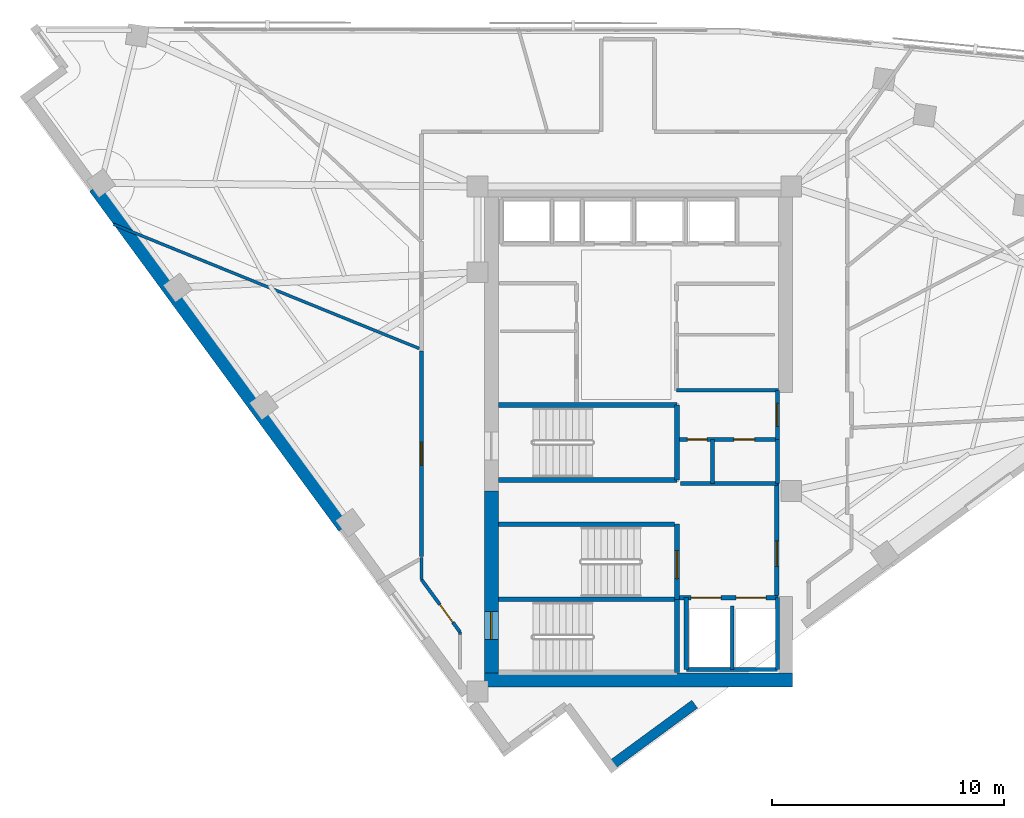
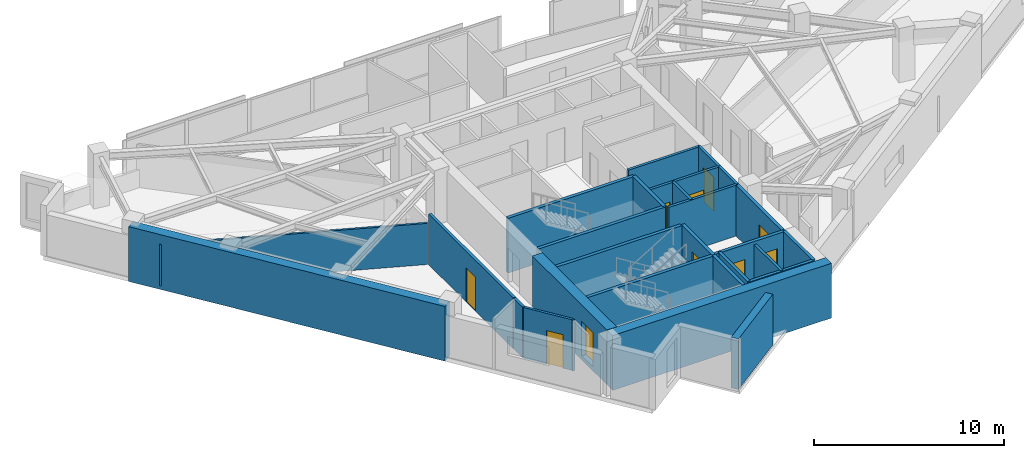
# One storey, part 8 of 13: 28 walls, 10 doors, 10 openings.
"""IFC4 building model written with IfcOpenShell, lengths in metres."""

from ifc_helpers import new_model, si_unit, direction, frame, frame_2d, origin, place, context, subcontext, project, spatial, rectangle, extrude, material, layer, layer_set, type_object, element, fill, save


model = new_model("IFC4")

# Units and contexts
model_context = context("Model", 3, precision=1e-05, world=origin(), true_north=direction((0.0, 1.0)))
body_context = subcontext(model_context, "Body", "Model", "MODEL_VIEW")
ifc_project = project(units=[si_unit("LENGTHUNIT", "METRE"), si_unit("AREAUNIT", "SQUARE_METRE"), si_unit("VOLUMEUNIT", "CUBIC_METRE"), si_unit("PLANEANGLEUNIT", "RADIAN"), si_unit("MASSUNIT", "GRAM", prefix="KILO")], contexts=[model_context])

# Site, building, storey
site_placement = place(None, origin())
site = spatial("IfcSite", under=ifc_project, at=site_placement, CompositionType="ELEMENT")
building_placement = place(site_placement, origin())
building = spatial("IfcBuilding", under=site, at=building_placement, Name="Narakoshi Arena Tower", CompositionType="ELEMENT")
storey_placement = place(building_placement, frame((0.0, 0.0, 246.659912109375)))
storey = spatial("IfcBuildingStorey", under=building, at=storey_placement, Name="L67", CompositionType="ELEMENT", Elevation=246.659912109375)

# Wall, opening, door
ifc_material_1 = material(Name="Concrete C50/60", Category="concrete")
ifc_layer_1 = layer(ifc_material_1, 0.60009765625)
ifc_layer_set_1 = layer_set([ifc_layer_1], Name="Concrete C50/60")
wall_type_1 = type_object("IfcWallType", Name="WL-CORE-600", PredefinedType="SHEAR", material=ifc_layer_set_1)
wall_1_placement = place(storey_placement, frame((72.60009765625, 35.5, -0.260009765625), z_axis=(0.0, 0.0, 1.0), x_axis=(0.0, 1.0, 0.0)))
wall_1 = element("IfcWall", 1, at=wall_1_placement, inside=storey, type_object=wall_type_1, Name="L67 Central Core Shear Wall CW-APX-W", PredefinedType="SHEAR", context=body_context, shape_type="SweptSolid", body=[
    extrude(rectangle(XDim=7.85009765625, YDim=0.60009765625, at=frame_2d((3.925048828125, 0.0))), origin(), (0.0, 0.0, 1.0), 3.52001953125),
])
opening_1_placement = place(wall_1_placement, frame((1.449951171875, 0.0, 0.260009765625)))
opening_1 = element("IfcOpeningElement", 2, at=opening_1_placement, cuts=wall_1, Name="Opening D-03", PredefinedType="OPENING", context=body_context, shape_type="SweptSolid", body=[
    extrude(rectangle(XDim=1.199951171875, YDim=2.199951171875, at=frame_2d((0.60009765625, 1.10009765625))), frame((0.0, 0.31005859375, 0.0), z_axis=(0.0, -1.0, 0.0), x_axis=(1.0, 0.0, 0.0)), (0.0, 0.0, 1.0), 0.6201171875),
])
ifc_material_2 = material(Name="Painted galvanized steel", Category="steel")
door_type_1 = type_object("IfcDoorType", Name="DR-STR-1200", OperationType="NOTDEFINED", PredefinedType="USERDEFINED", material=ifc_material_2)
door_1_placement = place(opening_1_placement, frame((1.199951171875, 0.0, 0.0), z_axis=(0.0, 0.0, 1.0), x_axis=(-1.0, 0.0, 0.0)))
door_1 = element("IfcDoor", 3, at=door_1_placement, inside=storey, type_object=door_type_1, Name="DR-L67-001", ObjectType="EXITDOOR", OperationType="SINGLE_SWING_LEFT", OverallHeight=2.199951171875, OverallWidth=1.199951171875, PredefinedType="USERDEFINED", context=body_context, shape_type="SweptSolid", body=[
    extrude(rectangle(XDim=1.199951171875, YDim=2.199951171875, at=frame_2d((0.60009765625, 1.10009765625))), frame((0.0, 0.02490234375, 0.0), z_axis=(0.0, -1.0, 0.0), x_axis=(1.0, 0.0, 0.0)), (0.0, 0.0, 1.0), 0.050048828125),
])
fill(opening_1, door_1)

# Wall
wall_2_placement = place(storey_placement, frame((72.300048828125, 35.199951171875, -0.260009765625), z_axis=(0.0, 0.0, 1.0), x_axis=(1.0, 0.0, 0.0)))
element("IfcWall", 4, at=wall_2_placement, inside=storey, type_object=wall_type_1, Name="L67 Central Core Shear Wall CW-APX-S", PredefinedType="SHEAR", context=body_context, shape_type="SweptSolid", body=[
    extrude(rectangle(XDim=13.300048828125, YDim=0.60009765625, at=frame_2d((6.64990234375, 0.0))), origin(), (0.0, 0.0, 1.0), 3.52001953125),
])

# Wall, opening, door
ifc_material_3 = material(Name="Gypsum plasterboard fire-rated partition")
ifc_layer_2 = layer(ifc_material_3, 0.1650390625)
ifc_layer_set_2 = layer_set([ifc_layer_2], Name="Gypsum plasterboard fire-rated partition")
wall_type_2 = type_object("IfcWallType", Name="WL-CORR-165", PredefinedType="PARTITIONING", material=ifc_layer_set_2)
wall_3_placement = place(storey_placement, frame((84.949951171875, 45.580078125, 0.0), z_axis=(0.0, 0.0, 1.0), x_axis=(0.0, 1.0, 0.0)))
wall_3 = element("IfcWall", 5, at=wall_3_placement, inside=storey, type_object=wall_type_2, Name="L67 Core Wall CPAS-E", PredefinedType="PARTITIONING", context=body_context, shape_type="SweptSolid", body=[
    extrude(rectangle(XDim=2.119873046875, YDim=0.1650390625, at=frame_2d((1.06005859375, 0.0))), origin(), (0.0, 0.0, 1.0), 3.260009765625),
])
opening_2_placement = place(wall_3_placement, frame((0.56005859375, 0.0, 0.0)))
opening_2 = element("IfcOpeningElement", 6, at=opening_2_placement, cuts=wall_3, Name="Opening D-06", PredefinedType="OPENING", context=body_context, shape_type="SweptSolid", body=[
    extrude(rectangle(XDim=1.0, YDim=2.199951171875, at=frame_2d((0.5, 1.10009765625))), frame((0.0, 0.092529296875, 0.0), z_axis=(0.0, -1.0, 0.0), x_axis=(1.0, 0.0, 0.0)), (0.0, 0.0, 1.0), 0.18505859375),
])
ifc_material_4 = material(Name="Stained oak solid-core timber", Category="wood")
door_type_2 = type_object("IfcDoorType", Name="DR-OFF-1000", OperationType="NOTDEFINED", PredefinedType="DOOR", material=ifc_material_4)
door_2_placement = place(opening_2_placement, frame((1.0, 0.0, 0.0), z_axis=(0.0, 0.0, 1.0), x_axis=(-1.0, 0.0, 0.0)))
door_2 = element("IfcDoor", 7, at=door_2_placement, inside=storey, type_object=door_type_2, Name="DR-L67-007", OperationType="SINGLE_SWING_LEFT", OverallHeight=2.199951171875, OverallWidth=1.0, PredefinedType="DOOR", context=body_context, shape_type="SweptSolid", body=[
    extrude(rectangle(XDim=1.0, YDim=2.199951171875, at=frame_2d((0.5, 1.10009765625))), frame((0.0, 0.02490234375, 0.0), z_axis=(0.0, -1.0, 0.0), x_axis=(1.0, 0.0, 0.0)), (0.0, 0.0, 1.0), 0.050048828125),
])
fill(opening_2, door_2)

wall_4_placement = place(storey_placement, frame((69.583251953125, 49.4033203125, 0.0), z_axis=(0.0, 0.0, 1.0), x_axis=(0.0, -1.0, 0.0)))
wall_4 = element("IfcWall", 8, at=wall_4_placement, inside=storey, type_object=wall_type_2, Name="L67 Corridor Partition 09-1", PredefinedType="PARTITIONING", context=body_context, shape_type="SweptSolid", body=[
    extrude(rectangle(XDim=8.885009765625, YDim=0.1650390625, at=frame_2d((4.4423828125, 0.0))), origin(), (0.0, 0.0, 1.0), 3.260009765625),
])
opening_3_placement = place(wall_4_placement, frame((3.9423828125, 0.0, 0.0)))
opening_3 = element("IfcOpeningElement", 9, at=opening_3_placement, cuts=wall_4, Name="Opening D-06", PredefinedType="OPENING", context=body_context, shape_type="SweptSolid", body=[
    extrude(rectangle(XDim=1.0, YDim=2.199951171875, at=frame_2d((0.5, 1.10009765625))), frame((0.0, 0.092529296875, 0.0), z_axis=(0.0, -1.0, 0.0), x_axis=(1.0, 0.0, 0.0)), (0.0, 0.0, 1.0), 0.18505859375),
])
door_3_placement = place(opening_3_placement, frame((1.0, 0.0, 0.0), z_axis=(0.0, 0.0, 1.0), x_axis=(-1.0, 0.0, 0.0)))
door_3 = element("IfcDoor", 10, at=door_3_placement, inside=storey, type_object=door_type_2, Name="DR-L67-025", OperationType="SINGLE_SWING_LEFT", OverallHeight=2.199951171875, OverallWidth=1.0, PredefinedType="DOOR", context=body_context, shape_type="SweptSolid", body=[
    extrude(rectangle(XDim=1.0, YDim=2.199951171875, at=frame_2d((0.5, 1.10009765625))), frame((0.0, 0.02490234375, 0.0), z_axis=(0.0, -1.0, 0.0), x_axis=(1.0, 0.0, 0.0)), (0.0, 0.0, 1.0), 0.050048828125),
])
fill(opening_3, door_3)

# Walls
ifc_layer_3 = layer(ifc_material_1, 0.550048828125)
ifc_layer_set_3 = layer_set([ifc_layer_3], Name="Concrete C50/60")
wall_type_3 = type_object("IfcWallType", Name="WL-LEG-550", PredefinedType="SHEAR", material=ifc_layer_set_3)
wall_5_placement = place(storey_placement, frame((55.47509765625, 56.450439453125, -0.260009765625), z_axis=(0.0, 0.0, 1.0), x_axis=(0.591309555876, -0.806444672082, 0.0)))
element("IfcWall", 11, at=wall_5_placement, inside=storey, type_object=wall_type_3, Name="L67 Architectural Concrete Structural Wall LEGB-2", PredefinedType="SHEAR", context=body_context, shape_type="SweptSolid", body=[
    extrude(rectangle(XDim=18.1923828125, YDim=0.550048828125, at=frame_2d((9.09619140625, 0.0))), origin(), (0.0, 0.0, 1.0), 3.52001953125),
])
ifc_layer_4 = layer(ifc_material_3, 0.125)
ifc_layer_set_4 = layer_set([ifc_layer_4], Name="Gypsum plasterboard fire-rated partition")
wall_type_4 = type_object("IfcWallType", Name="WL-PART-125", PredefinedType="PARTITIONING", material=ifc_layer_set_4)
wall_6_placement = place(storey_placement, frame((69.48876953125, 49.506591796875, 0.0), z_axis=(0.0, 0.0, 1.0), x_axis=(-0.926495909369, 0.376304836433, 0.0)))
element("IfcWall", 12, at=wall_6_placement, inside=storey, type_object=wall_type_4, Name="L67 Inter-Room Partition 07-09", PredefinedType="PARTITIONING", context=body_context, shape_type="SweptSolid", body=[
    extrude(rectangle(XDim=14.23828125, YDim=0.125, at=frame_2d((7.119140625, 0.0))), origin(), (0.0, 0.0, 1.0), 2.64501953125),
])
ifc_material_5 = material(Name="Precast concrete C45/55", Category="concrete")
ifc_layer_5 = layer(ifc_material_5, 0.419921875)
ifc_layer_set_5 = layer_set([ifc_layer_5], Name="Precast concrete C45/55")
wall_type_5 = type_object("IfcWallType", Name="WL-POD-420", PredefinedType="SOLIDWALL", material=ifc_layer_set_5)
wall_7_placement = place(storey_placement, frame((77.760009765625, 31.4951171875, 0.0), z_axis=(0.0, 0.0, 1.0), x_axis=(0.806458583304, 0.591290582891, 0.0)))
element("IfcWall", 13, at=wall_7_placement, inside=storey, type_object=wall_type_5, Name="L67 Architectural Concrete Facade Wall LEGA-1", PredefinedType="SOLIDWALL", context=body_context, shape_type="SweptSolid", body=[
    extrude(rectangle(XDim=4.48974609375, YDim=0.419921875, at=frame_2d((2.244873046875, 0.0))), origin(), (0.0, 0.0, 1.0), 3.260009765625),
])
ifc_material_6 = material(Name="Concrete C40/50", Category="concrete")
ifc_layer_6 = layer(ifc_material_6, 0.280029296875)
ifc_layer_set_6 = layer_set([ifc_layer_6], Name="Concrete C40/50")
wall_type_6 = type_object("IfcWallType", Name="WL-RISER-280", PredefinedType="PLUMBINGWALL", material=ifc_layer_set_6)
wall_8_placement = place(storey_placement, frame((83.0, 35.64990234375, 0.0), z_axis=(0.0, 0.0, 1.0), x_axis=(0.0, 1.0, 0.0)))
element("IfcWall", 14, at=wall_8_placement, inside=storey, type_object=wall_type_6, Name="L67 Core Wall FF-DIV", PredefinedType="PLUMBINGWALL", context=body_context, shape_type="SweptSolid", body=[
    extrude(rectangle(XDim=2.75, YDim=0.159912109375, at=frame_2d((1.375, 0.0))), origin(), (0.0, 0.0, 1.0), 3.260009765625),
])
wall_9_placement = place(storey_placement, frame((84.949951171875, 43.679931640625, 0.0), z_axis=(0.0, 0.0, 1.0), x_axis=(0.0, 1.0, 0.0)))
element("IfcWall", 15, at=wall_9_placement, inside=storey, type_object=wall_type_6, Name="L67 Core Wall RSR-E", PredefinedType="PLUMBINGWALL", context=body_context, shape_type="SweptSolid", body=[
    extrude(rectangle(XDim=1.900146484375, YDim=0.1650390625, at=frame_2d((0.9501953125, 0.0))), origin(), (0.0, 0.0, 1.0), 3.260009765625),
])

# Wall, openings, doors
wall_10_placement = place(storey_placement, frame((80.719970703125, 45.580078125, 0.0), z_axis=(0.0, 0.0, 1.0), x_axis=(1.0, 0.0, 0.0)))
wall_10 = element("IfcWall", 16, at=wall_10_placement, inside=storey, type_object=wall_type_6, Name="L67 Core Wall RSR-N", PredefinedType="PLUMBINGWALL", context=body_context, shape_type="SweptSolid", body=[
    extrude(rectangle(XDim=4.22998046875, YDim=0.159912109375, at=frame_2d((2.114990234375, 0.0))), origin(), (0.0, 0.0, 1.0), 3.260009765625),
])
opening_4_placement = place(wall_10_placement, frame((0.35009765625, 0.0, 0.0)))
opening_4 = element("IfcOpeningElement", 17, at=opening_4_placement, cuts=wall_10, Name="Opening D-10", PredefinedType="OPENING", context=body_context, shape_type="SweptSolid", body=[
    extrude(rectangle(XDim=0.85009765625, YDim=2.050048828125, at=frame_2d((0.425048828125, 1.02490234375))), frame((0.0, 0.08984375, 0.0), z_axis=(0.0, -1.0, 0.0), x_axis=(1.0, 0.0, 0.0)), (0.0, 0.0, 1.0), 0.179931640625),
])
opening_5_placement = place(wall_10_placement, frame((2.35009765625, 0.0, 0.0)))
opening_5 = element("IfcOpeningElement", 18, at=opening_5_placement, cuts=wall_10, Name="Opening D-08", PredefinedType="OPENING", context=body_context, shape_type="SweptSolid", body=[
    extrude(rectangle(XDim=0.89990234375, YDim=2.10009765625, at=frame_2d((0.449951171875, 1.050048828125))), frame((0.0, 0.08984375, 0.0), z_axis=(0.0, -1.0, 0.0), x_axis=(1.0, 0.0, 0.0)), (0.0, 0.0, 1.0), 0.179931640625),
])
door_type_3 = type_object("IfcDoorType", Name="DR-RSR-850", OperationType="NOTDEFINED", PredefinedType="DOOR", material=ifc_material_2)
door_4_placement = place(opening_4_placement, frame((0.85009765625, 0.0, 0.0), z_axis=(0.0, 0.0, 1.0), x_axis=(-1.0, 0.0, 0.0)))
door_4 = element("IfcDoor", 19, at=door_4_placement, inside=storey, type_object=door_type_3, Name="DR-L67-008", OperationType="SINGLE_SWING_LEFT", OverallHeight=2.050048828125, OverallWidth=0.85009765625, PredefinedType="DOOR", context=body_context, shape_type="SweptSolid", body=[
    extrude(rectangle(XDim=0.85009765625, YDim=2.050048828125, at=frame_2d((0.425048828125, 1.02490234375))), frame((0.0, 0.02490234375, 0.0), z_axis=(0.0, -1.0, 0.0), x_axis=(1.0, 0.0, 0.0)), (0.0, 0.0, 1.0), 0.050048828125),
])
fill(opening_4, door_4)
ifc_material_7 = material(Name="Moisture-resistant laminate timber", Category="wood")
door_type_4 = type_object("IfcDoorType", Name="DR-WC-900", OperationType="NOTDEFINED", PredefinedType="DOOR", material=ifc_material_7)
door_5_placement = place(opening_5_placement, frame((0.89990234375, 0.0, 0.0), z_axis=(0.0, 0.0, 1.0), x_axis=(-1.0, 0.0, 0.0)))
door_5 = element("IfcDoor", 20, at=door_5_placement, inside=storey, type_object=door_type_4, Name="DR-L67-009", OperationType="SINGLE_SWING_RIGHT", OverallHeight=2.10009765625, OverallWidth=0.89990234375, PredefinedType="DOOR", context=body_context, shape_type="SweptSolid", body=[
    extrude(rectangle(XDim=0.89990234375, YDim=2.10009765625, at=frame_2d((0.449951171875, 1.050048828125))), frame((0.0, 0.02490234375, 0.0), z_axis=(0.0, -1.0, 0.0), x_axis=(1.0, 0.0, 0.0)), (0.0, 0.0, 1.0), 0.050048828125),
])
fill(opening_5, door_5)

# Walls
wall_11_placement = place(storey_placement, frame((80.760009765625, 43.679931640625, 0.0), z_axis=(0.0, 0.0, 1.0), x_axis=(1.0, 0.0, 0.0)))
element("IfcWall", 21, at=wall_11_placement, inside=storey, type_object=wall_type_6, Name="L67 Core Wall RSR-S", PredefinedType="PLUMBINGWALL", context=body_context, shape_type="SweptSolid", body=[
    extrude(rectangle(XDim=4.18994140625, YDim=0.159912109375, at=frame_2d((2.094970703125, 0.0))), origin(), (0.0, 0.0, 1.0), 3.260009765625),
])
wall_12_placement = place(storey_placement, frame((82.14990234375, 43.679931640625, 0.0), z_axis=(0.0, 0.0, 1.0), x_axis=(0.0, 1.0, 0.0)))
element("IfcWall", 22, at=wall_12_placement, inside=storey, type_object=wall_type_6, Name="L67 Core Wall RSR-M", PredefinedType="PLUMBINGWALL", context=body_context, shape_type="SweptSolid", body=[
    extrude(rectangle(XDim=1.900146484375, YDim=0.159912109375, at=frame_2d((0.9501953125, 0.0))), origin(), (0.0, 0.0, 1.0), 3.260009765625),
])
ifc_layer_7 = layer(ifc_material_1, 0.35009765625)
ifc_layer_set_7 = layer_set([ifc_layer_7], Name="Concrete C50/60")
wall_type_7 = type_object("IfcWallType", Name="WL-SHAFT-350", PredefinedType="SOLIDWALL", material=ifc_layer_set_7)
wall_13_placement = place(storey_placement, frame((72.919921875, 38.675048828125, -0.260009765625), z_axis=(0.0, 0.0, 1.0), x_axis=(1.0, 0.0, 0.0)))
element("IfcWall", 23, at=wall_13_placement, inside=storey, type_object=wall_type_7, Name="L67 Core Wall ST12-DIV", PredefinedType="SOLIDWALL", context=body_context, shape_type="SweptSolid", body=[
    extrude(rectangle(XDim=7.7001953125, YDim=0.199951171875, at=frame_2d((3.85009765625, 0.0))), origin(), (0.0, 0.0, 1.0), 3.52001953125),
])
wall_14_placement = place(storey_placement, frame((80.6201171875, 35.52001953125, -0.260009765625), z_axis=(0.0, 0.0, 1.0), x_axis=(0.0, 1.0, 0.0)))
element("IfcWall", 24, at=wall_14_placement, inside=storey, type_object=wall_type_7, Name="L67 Core Wall ST1-E", PredefinedType="SOLIDWALL", context=body_context, shape_type="SweptSolid", body=[
    extrude(rectangle(XDim=3.155029296875, YDim=0.199951171875, at=frame_2d((1.57763671875, 0.0))), origin(), (0.0, 0.0, 1.0), 3.52001953125),
])

# Wall, opening, door
wall_15_placement = place(storey_placement, frame((80.6201171875, 38.675048828125, -0.260009765625), z_axis=(0.0, 0.0, 1.0), x_axis=(0.0, 1.0, 0.0)))
wall_15 = element("IfcWall", 25, at=wall_15_placement, inside=storey, type_object=wall_type_7, Name="L67 Core Wall ST2-E", PredefinedType="SOLIDWALL", context=body_context, shape_type="SweptSolid", body=[
    extrude(rectangle(XDim=3.244873046875, YDim=0.199951171875, at=frame_2d((1.62255859375, 0.0))), origin(), (0.0, 0.0, 1.0), 3.52001953125),
])
opening_6_placement = place(wall_15_placement, frame((0.89990234375, 0.0, 0.260009765625)))
opening_6 = element("IfcOpeningElement", 26, at=opening_6_placement, cuts=wall_15, Name="Opening D-03", PredefinedType="OPENING", context=body_context, shape_type="SweptSolid", body=[
    extrude(rectangle(XDim=1.199951171875, YDim=2.199951171875, at=frame_2d((0.60009765625, 1.10009765625))), frame((0.0, 0.10986328125, 0.0), z_axis=(0.0, -1.0, 0.0), x_axis=(1.0, 0.0, 0.0)), (0.0, 0.0, 1.0), 0.219970703125),
])
door_6_placement = place(opening_6_placement, origin())
door_6 = element("IfcDoor", 27, at=door_6_placement, inside=storey, type_object=door_type_1, Name="DR-L67-002", ObjectType="EXITDOOR", OperationType="SINGLE_SWING_RIGHT", OverallHeight=2.199951171875, OverallWidth=1.199951171875, PredefinedType="USERDEFINED", context=body_context, shape_type="SweptSolid", body=[
    extrude(rectangle(XDim=1.199951171875, YDim=2.199951171875, at=frame_2d((0.60009765625, 1.10009765625))), frame((0.0, 0.02490234375, 0.0), z_axis=(0.0, -1.0, 0.0), x_axis=(1.0, 0.0, 0.0)), (0.0, 0.0, 1.0), 0.050048828125),
])
fill(opening_6, door_6)

# Wall, openings, doors
wall_16_placement = place(storey_placement, frame((80.719970703125, 38.75, 0.0), z_axis=(0.0, 0.0, 1.0), x_axis=(1.0, 0.0, 0.0)))
wall_16 = element("IfcWall", 28, at=wall_16_placement, inside=storey, type_object=wall_type_7, Name="L67 Core Wall FF-N", PredefinedType="SOLIDWALL", context=body_context, shape_type="SweptSolid", body=[
    extrude(rectangle(XDim=4.260009765625, YDim=0.199951171875, at=frame_2d((2.1298828125, 0.0))), origin(), (0.0, 0.0, 1.0), 3.260009765625),
])
opening_7_placement = place(wall_16_placement, frame((0.5, 0.0, 0.0)))
opening_7 = element("IfcOpeningElement", 29, at=opening_7_placement, cuts=wall_16, Name="Opening LD-02", PredefinedType="OPENING", context=body_context, shape_type="SweptSolid", body=[
    extrude(rectangle(XDim=1.300048828125, YDim=2.300048828125, at=frame_2d((0.64990234375, 1.14990234375))), frame((0.0, 0.10986328125, 0.0), z_axis=(0.0, -1.0, 0.0), x_axis=(1.0, 0.0, 0.0)), (0.0, 0.0, 1.0), 0.219970703125),
])
opening_8_placement = place(wall_16_placement, frame((2.449951171875, 0.0, 0.0)))
opening_8 = element("IfcOpeningElement", 30, at=opening_8_placement, cuts=wall_16, Name="Opening LD-02", PredefinedType="OPENING", context=body_context, shape_type="SweptSolid", body=[
    extrude(rectangle(XDim=1.300048828125, YDim=2.300048828125, at=frame_2d((0.64990234375, 1.14990234375))), frame((0.0, 0.10986328125, 0.0), z_axis=(0.0, -1.0, 0.0), x_axis=(1.0, 0.0, 0.0)), (0.0, 0.0, 1.0), 0.219970703125),
])
ifc_material_8 = material(Name="Brushed bronze stainless steel", Category="steel")
door_type_5 = type_object("IfcDoorType", Name="DR-LFT-1300", OperationType="DOUBLE_DOOR_SLIDING", PredefinedType="DOOR", material=ifc_material_8)
door_7_placement = place(opening_7_placement, origin())
door_7 = element("IfcDoor", 31, at=door_7_placement, inside=storey, type_object=door_type_5, Name="DR-L67-003", OperationType="DOUBLE_DOOR_SLIDING", OverallHeight=2.300048828125, OverallWidth=1.300048828125, PredefinedType="DOOR", context=body_context, shape_type="SweptSolid", body=[
    extrude(rectangle(XDim=1.300048828125, YDim=2.300048828125, at=frame_2d((0.64990234375, 1.14990234375))), frame((0.0, 0.02490234375, 0.0), z_axis=(0.0, -1.0, 0.0), x_axis=(1.0, 0.0, 0.0)), (0.0, 0.0, 1.0), 0.050048828125),
])
fill(opening_7, door_7)
door_8_placement = place(opening_8_placement, origin())
door_8 = element("IfcDoor", 32, at=door_8_placement, inside=storey, type_object=door_type_5, Name="DR-L67-004", OperationType="DOUBLE_DOOR_SLIDING", OverallHeight=2.300048828125, OverallWidth=1.300048828125, PredefinedType="DOOR", context=body_context, shape_type="SweptSolid", body=[
    extrude(rectangle(XDim=1.300048828125, YDim=2.300048828125, at=frame_2d((0.64990234375, 1.14990234375))), frame((0.0, 0.02490234375, 0.0), z_axis=(0.0, -1.0, 0.0), x_axis=(1.0, 0.0, 0.0)), (0.0, 0.0, 1.0), 0.050048828125),
])
fill(opening_8, door_8)

# Walls
for number, where, z_axis, x_axis, name in (
    (33, (84.949951171875, 35.64990234375, 0.0), (0.0, 0.0, 1.0), (0.0, 1.0, 0.0), "L67 Core Wall FF-E"),
    (34, (81.02001953125, 35.64990234375, 0.0), (0.0, 0.0, 1.0), (0.0, 1.0, 0.0), "L67 Core Wall FF-W"),
):
    element("IfcWall", number, at=place(storey_placement, frame(where, z_axis=z_axis, x_axis=x_axis)), inside=storey, type_object=wall_type_7, Name=name, PredefinedType="SOLIDWALL", context=body_context, shape_type="SweptSolid", body=[
        extrude(rectangle(XDim=3.10009765625, YDim=0.179931640625, at=frame_2d((1.550048828125, 0.0))), origin(), (0.0, 0.0, 1.0), 3.260009765625),
    ])
wall_17_placement = place(storey_placement, frame((81.02001953125, 35.64990234375, 0.0), z_axis=(0.0, 0.0, 1.0), x_axis=(1.0, 0.0, 0.0)))
element("IfcWall", 35, at=wall_17_placement, inside=storey, type_object=wall_type_7, Name="L67 Core Wall FF-S", PredefinedType="SOLIDWALL", context=body_context, shape_type="SweptSolid", body=[
    extrude(rectangle(XDim=3.929931640625, YDim=0.179931640625, at=frame_2d((1.96484375, 0.0))), origin(), (0.0, 0.0, 1.0), 3.260009765625),
])

# Wall, opening, door
wall_18_placement = place(storey_placement, frame((84.919921875, 38.85009765625, 0.0), z_axis=(0.0, 0.0, 1.0), x_axis=(0.0, 1.0, 0.0)))
wall_18 = element("IfcWall", 36, at=wall_18_placement, inside=storey, type_object=wall_type_7, Name="L67 Core Wall FFLOB-E", PredefinedType="SOLIDWALL", context=body_context, shape_type="SweptSolid", body=[
    extrude(rectangle(XDim=4.829833984375, YDim=0.199951171875, at=frame_2d((2.4150390625, 0.0))), origin(), (0.0, 0.0, 1.0), 3.260009765625),
])
opening_9_placement = place(wall_18_placement, frame((1.25, 0.0, 0.0)))
opening_9 = element("IfcOpeningElement", 37, at=opening_9_placement, cuts=wall_18, Name="Opening D-04", PredefinedType="OPENING", context=body_context, shape_type="SweptSolid", body=[
    extrude(rectangle(XDim=1.10009765625, YDim=2.199951171875, at=frame_2d((0.550048828125, 1.10009765625))), frame((0.0, 0.10986328125, 0.0), z_axis=(0.0, -1.0, 0.0), x_axis=(1.0, 0.0, 0.0)), (0.0, 0.0, 1.0), 0.219970703125),
])
door_type_6 = type_object("IfcDoorType", Name="DR-FFL-1100", OperationType="NOTDEFINED", PredefinedType="DOOR", material=ifc_material_2)
door_9_placement = place(opening_9_placement, frame((1.10009765625, 0.0, 0.0), z_axis=(0.0, 0.0, 1.0), x_axis=(-1.0, 0.0, 0.0)))
door_9 = element("IfcDoor", 38, at=door_9_placement, inside=storey, type_object=door_type_6, Name="DR-L67-005", OperationType="SINGLE_SWING_RIGHT", OverallHeight=2.199951171875, OverallWidth=1.10009765625, PredefinedType="DOOR", context=body_context, shape_type="SweptSolid", body=[
    extrude(rectangle(XDim=1.10009765625, YDim=2.199951171875, at=frame_2d((0.550048828125, 1.10009765625))), frame((0.0, 0.02490234375, 0.0), z_axis=(0.0, -1.0, 0.0), x_axis=(1.0, 0.0, 0.0)), (0.0, 0.0, 1.0), 0.050048828125),
])
fill(opening_9, door_9)

# Walls
wall_19_placement = place(storey_placement, frame((72.919921875, 41.919921875, -0.260009765625), z_axis=(0.0, 0.0, 1.0), x_axis=(1.0, 0.0, 0.0)))
element("IfcWall", 39, at=wall_19_placement, inside=storey, type_object=wall_type_7, Name="L67 Core Wall ST2-N", PredefinedType="SOLIDWALL", context=body_context, shape_type="SweptSolid", body=[
    extrude(rectangle(XDim=7.580078125, YDim=0.199951171875, at=frame_2d((3.7900390625, 0.0))), origin(), (0.0, 0.0, 1.0), 3.52001953125),
])
for number, where, z_axis, x_axis, name in (
    (40, (72.919921875, 43.830078125, -0.260009765625), (0.0, 0.0, 1.0), (1.0, 0.0, 0.0), "L67 Core Wall ST3-S"),
    (41, (72.919921875, 47.070068359375, -0.260009765625), (0.0, 0.0, 1.0), (1.0, 0.0, 0.0), "L67 Core Wall ST3-N"),
):
    element("IfcWall", number, at=place(storey_placement, frame(where, z_axis=z_axis, x_axis=x_axis)), inside=storey, type_object=wall_type_7, Name=name, PredefinedType="SOLIDWALL", context=body_context, shape_type="SweptSolid", body=[
        extrude(rectangle(XDim=7.7001953125, YDim=0.199951171875, at=frame_2d((3.85009765625, 0.0))), origin(), (0.0, 0.0, 1.0), 3.52001953125),
    ])
wall_20_placement = place(storey_placement, frame((80.6201171875, 43.830078125, -0.260009765625), z_axis=(0.0, 0.0, 1.0), x_axis=(0.0, 1.0, 0.0)))
element("IfcWall", 42, at=wall_20_placement, inside=storey, type_object=wall_type_7, Name="L67 Core Wall ST3-E", PredefinedType="SOLIDWALL", context=body_context, shape_type="SweptSolid", body=[
    extrude(rectangle(XDim=3.239990234375, YDim=0.199951171875, at=frame_2d((1.6201171875, 0.0))), origin(), (0.0, 0.0, 1.0), 3.52001953125),
])
wall_21_placement = place(storey_placement, frame((80.60009765625, 47.699951171875, 0.0), z_axis=(0.0, 0.0, 1.0), x_axis=(1.0, 0.0, 0.0)))
element("IfcWall", 43, at=wall_21_placement, inside=storey, type_object=wall_type_7, Name="L67 Core Wall MR-S", PredefinedType="SOLIDWALL", context=body_context, shape_type="SweptSolid", body=[
    extrude(rectangle(XDim=4.39990234375, YDim=0.159912109375, at=frame_2d((2.199951171875, 0.0))), origin(), (0.0, 0.0, 1.0), 3.260009765625),
])

# Wall, opening, door
ifc_material_9 = material(Name="Moisture-resistant cement-board partition")
ifc_layer_8 = layer(ifc_material_9, 0.14501953125)
ifc_layer_set_8 = layer_set([ifc_layer_8], Name="Moisture-resistant cement-board partition")
wall_type_8 = type_object("IfcWallType", Name="WL-WET-145", PredefinedType="PARTITIONING", material=ifc_layer_set_8)
wall_22_placement = place(storey_placement, frame((69.583251953125, 39.53466796875, 0.0), z_axis=(0.0, 0.0, 1.0), x_axis=(0.591303583947, -0.806449050847, 0.0)))
wall_22 = element("IfcWall", 44, at=wall_22_placement, inside=storey, type_object=wall_type_8, Name="L67 Corridor Partition 01-1", PredefinedType="PARTITIONING", context=body_context, shape_type="SweptSolid", body=[
    extrude(rectangle(XDim=2.81884765625, YDim=0.14501953125, at=frame_2d((1.409423828125, 0.0))), origin(), (0.0, 0.0, 1.0), 3.260009765625),
])
opening_10_placement = place(wall_22_placement, frame((1.345703125, 0.0, 0.0)))
opening_10 = element("IfcOpeningElement", 45, at=opening_10_placement, cuts=wall_22, Name="Opening D-07", PredefinedType="OPENING", context=body_context, shape_type="SweptSolid", body=[
    extrude(rectangle(XDim=0.949951171875, YDim=2.14990234375, at=frame_2d((0.47509765625, 1.074951171875))), frame((0.0, 0.08251953125, 0.0), z_axis=(0.0, -1.0, 0.0), x_axis=(1.0, 0.0, 0.0)), (0.0, 0.0, 1.0), 0.1650390625),
])
door_type_7 = type_object("IfcDoorType", Name="DR-ACC-950", OperationType="NOTDEFINED", PredefinedType="DOOR", material=ifc_material_4)
door_10_placement = place(opening_10_placement, frame((0.949951171875, 0.0, 0.0), z_axis=(0.0, 0.0, 1.0), x_axis=(-1.0, 0.0, 0.0)))
door_10 = element("IfcDoor", 46, at=door_10_placement, inside=storey, type_object=door_type_7, Name="DR-L67-017", OperationType="SINGLE_SWING_LEFT", OverallHeight=2.14990234375, OverallWidth=0.949951171875, PredefinedType="DOOR", context=body_context, shape_type="SweptSolid", body=[
    extrude(rectangle(XDim=0.949951171875, YDim=2.14990234375, at=frame_2d((0.47509765625, 1.074951171875))), frame((0.0, 0.02490234375, 0.0), z_axis=(0.0, -1.0, 0.0), x_axis=(1.0, 0.0, 0.0)), (0.0, 0.0, 1.0), 0.050048828125),
])
fill(opening_10, door_10)

# Walls
wall_23_placement = place(storey_placement, frame((69.583251953125, 40.49072265625, 0.0), z_axis=(0.0, 0.0, 1.0), x_axis=(0.0, -1.0, 0.0)))
element("IfcWall", 47, at=wall_23_placement, inside=storey, type_object=wall_type_8, Name="L67 Corridor Partition 01-2", PredefinedType="PARTITIONING", context=body_context, shape_type="SweptSolid", body=[
    extrude(rectangle(XDim=0.9560546875, YDim=0.14501953125, at=frame_2d((0.47802734375, 0.0))), origin(), (0.0, 0.0, 1.0), 3.260009765625),
])
wall_24_placement = place(storey_placement, frame((71.25, 37.261474609375, 0.0), z_axis=(0.0, 0.0, 1.0), x_axis=(0.0, -1.0, 0.0)))
element("IfcWall", 48, at=wall_24_placement, inside=storey, type_object=wall_type_8, Name="L67 Corridor Partition 01-3", PredefinedType="PARTITIONING", context=body_context, shape_type="SweptSolid", body=[
    extrude(rectangle(XDim=0.1015625, YDim=0.14501953125, at=frame_2d((0.05078125, 0.0))), origin(), (0.0, 0.0, 1.0), 3.260009765625),
])

save(model, "model.ifc")
